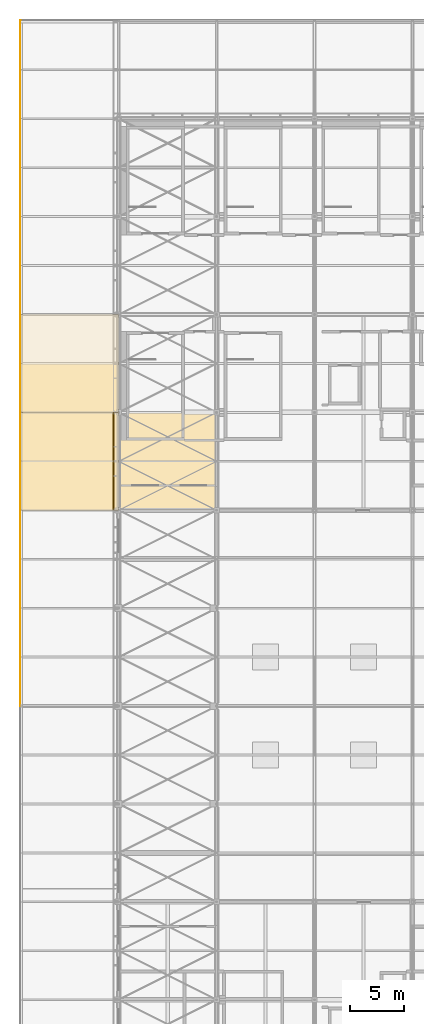
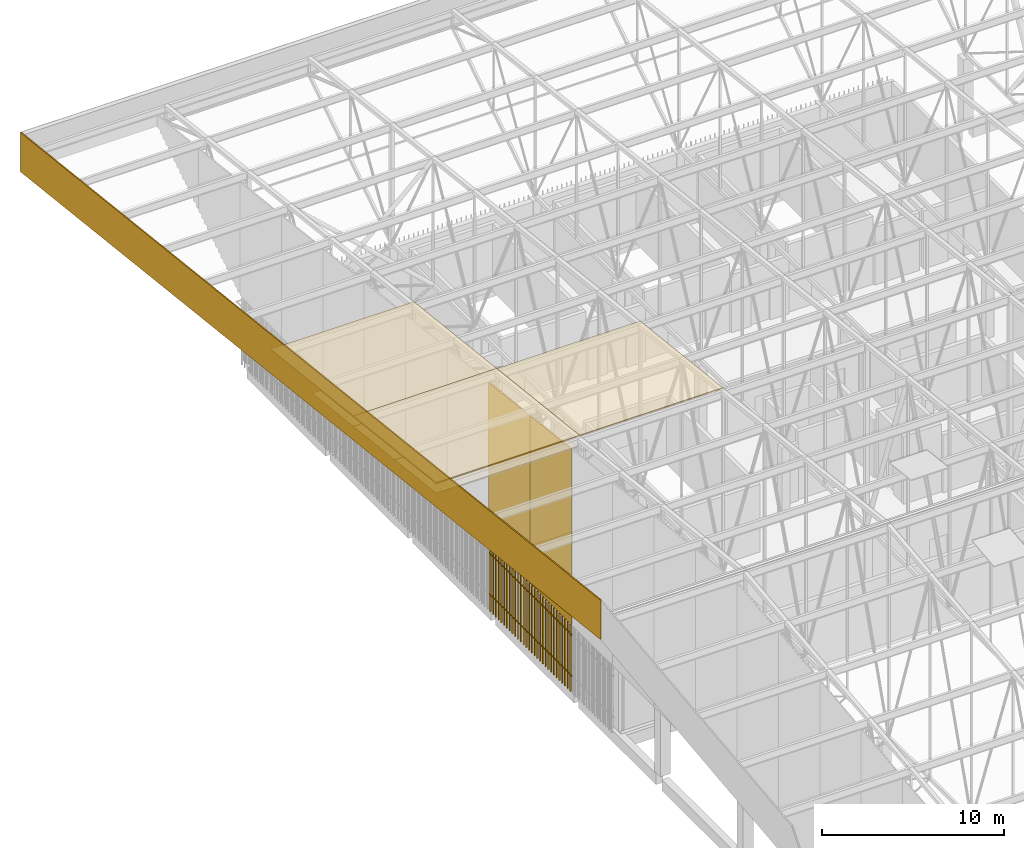
# One storey, part 471 of 500: 7 coverings, 3 shading devices.
"""IFC4 building model written with IfcOpenShell, lengths in metres."""

from ifc_helpers import new_model, si_unit, direction, frame, origin, origin_2d, place, context, subcontext, project, spatial, polyline, rectangle, outline, extrude, material, layer, layer_set, type_object, element, save


model = new_model("IFC4")

# Units and contexts
model_context = context("Model", 3, precision=1e-05, world=origin(), true_north=direction((0.0, 1.0)))
body_context = subcontext(model_context, "Body", "Model", "MODEL_VIEW")
ifc_project = project(units=[si_unit("LENGTHUNIT", "METRE"), si_unit("AREAUNIT", "SQUARE_METRE"), si_unit("VOLUMEUNIT", "CUBIC_METRE"), si_unit("PLANEANGLEUNIT", "RADIAN"), si_unit("MASSUNIT", "GRAM", prefix="KILO")], contexts=[model_context])

# Site, building, storey
site_placement = place(None, origin())
site = spatial("IfcSite", under=ifc_project, at=site_placement, CompositionType="ELEMENT")
building_placement = place(site_placement, origin())
building = spatial("IfcBuilding", under=site, at=building_placement, Name="Shirokan Park Arena", CompositionType="ELEMENT")
storey_placement = place(building_placement, frame((0.0, 0.0, 29.1201171875)))
storey = spatial("IfcBuildingStorey", under=building, at=storey_placement, Name="L06", CompositionType="ELEMENT", Elevation=29.1201171875)

# Coverings
ifc_material_1 = material(Name="Bituminous roofing membrane")
ifc_layer_1 = layer(ifc_material_1, 0.010009765625, Name="Bituminous roofing membrane")
ifc_material_2 = material(Name="Mineral wool insulation")
ifc_layer_2 = layer(ifc_material_2, 0.050048828125, Name="Mineral wool insulation")
ifc_layer_set_1 = layer_set([ifc_layer_1, ifc_layer_2], Name="Bituminous roofing membrane + Mineral wool insulation")
covering_type_1 = type_object("IfcCoveringType", Name="Roofing membrane 60", PredefinedType="ROOFING", material=ifc_layer_set_1)
covering_1_placement = place(storey_placement, frame((-9.10009765625, 72.800048828125, 17.090576171875), z_axis=(0.0, 0.113526293343, 0.993534992197), x_axis=(1.0, 0.0, 0.0)))
element("IfcCovering", 1, at=covering_1_placement, inside=storey, type_object=covering_type_1, Name="Roofing", PredefinedType="ROOFING", context=body_context, shape_type="SweptSolid", body=[
    extrude(outline(polyline([(0.0, 0.0), (9.10009765625, 0.0), (9.10009765625, 9.159066954957241), (0.0, 9.159066954957241), (0.0, 0.0)])), origin(), (0.0, 0.0, -1.0), 0.06005859375),
])
covering_2_placement = place(storey_placement, frame((-9.10009765625, 81.89990234375, 16.05078125), z_axis=(0.0, 0.113549598152, 0.993532328996), x_axis=(1.0, 0.0, 0.0)))
element("IfcCovering", 2, at=covering_2_placement, inside=storey, type_object=covering_type_1, Name="Roofing", PredefinedType="ROOFING", context=body_context, shape_type="SweptSolid", body=[
    extrude(outline(polyline([(0.0, 0.0), (9.10009765625, 0.0), (9.10009765625, 9.15933723611117), (0.0, 9.15933723611117), (0.0, 0.0)])), origin(), (0.0, 0.0, -1.0), 0.06005859375),
])
covering_3_placement = place(storey_placement, frame((0.0, 72.800048828125, 17.090576171875), z_axis=(0.0, 0.113526293343, 0.993534992197), x_axis=(1.0, 0.0, 0.0)))
element("IfcCovering", 3, at=covering_3_placement, inside=storey, type_object=covering_type_1, Name="Roofing", PredefinedType="ROOFING", context=body_context, shape_type="SweptSolid", body=[
    extrude(outline(polyline([(0.0, 0.0), (9.10009765625, 0.0), (9.10009765625, 9.159066954957241), (0.0, 9.159066954957241), (0.0, 0.0)])), origin(), (0.0, 0.0, -1.0), 0.06005859375),
])
ifc_material_3 = material(Name="Timber soffit boards (cedar)", Category="wood")
ifc_layer_3 = layer(ifc_material_3, 0.030029296875)
ifc_layer_set_2 = layer_set([ifc_layer_3], Name="Timber soffit boards (cedar) 30 mm")
covering_type_2 = type_object("IfcCoveringType", Name="Timber boarded soffit panel", PredefinedType="CLADDING", material=ifc_layer_set_2)
covering_4_placement = place(storey_placement, origin())
element("IfcCovering", 4, at=covering_4_placement, inside=storey, type_object=covering_type_2, Name="Rake soffit west bay 19", PredefinedType="CLADDING", context=body_context, shape_type="SweptSolid", body=[
    extrude(outline(polyline([(0.0, 0.0), (0.11999999999999922, 0.0), (0.11999999999999922, -4.579617887990218), (0.0, -4.579617887990218), (0.0, 0.0)])), frame((-8.97998046875, 72.800048828125, 16.3818359375), z_axis=(0.0, 0.113546591161, 0.993532672656), x_axis=(-1.0, 0.0, 0.0)), (0.0, 0.0, -1.0), 0.030029296875),
    extrude(outline(polyline([(0.0, 0.0), (0.12, 0.0), (0.12, -4.579617887990218), (0.0, -4.579617887990218), (0.0, 0.0)])), frame((-0.2470703125, 77.35009765625, 15.86181640625), z_axis=(0.0, 0.113546591161, 0.993532672656), x_axis=(1.0, 0.0, 0.0)), (0.0, 0.0, -1.0), 0.030029296875),
    extrude(outline(polyline([(0.0, 0.0), (0.12078064455862857, 0.0), (0.12078064455862857, -8.733000000000002), (0.0, -8.733000000000002), (0.0, 0.0)])), frame((-0.2470703125, 77.35009765625, 15.86181640625), z_axis=(0.0, 0.11351156512, 0.993536675007), x_axis=(0.0, -0.993536675007, 0.11351156512)), (0.0, 0.0, -1.0), 0.030029296875),
    extrude(outline(polyline([(0.0, 0.0), (0.12078064455864268, 0.0), (0.12078064455864268, -8.733000000000002), (0.0, -8.733000000000002), (0.0, 0.0)])), frame((-8.97998046875, 72.800048828125, 16.3818359375), z_axis=(0.0, 0.11351156512, 0.993536675007), x_axis=(0.0, 0.993536675007, -0.11351156512)), (0.0, 0.0, -1.0), 0.030029296875),
    extrude(outline(polyline([(0.0, 0.0), (8.733, 0.0), (8.733, -0.18452428160000883), (0.0, -0.18452428160000883), (0.0, 0.0)])), frame((-8.97998046875, 73.103271484375, 16.34716796875), z_axis=(0.0, 0.113589386818, 0.99352778079), x_axis=(1.0, 0.0, 0.0)), (0.0, 0.0, -1.0), 0.030029296875),
    extrude(outline(polyline([(0.0, 0.0), (8.733, 0.0), (8.733, -0.30531372586243666), (0.0, -0.30531372586243666), (0.0, 0.0)])), frame((-8.97998046875, 73.40673828125, 16.3125), z_axis=(0.0, 0.113522573877, 0.993535417195), x_axis=(1.0, 0.0, 0.0)), (0.0, 0.0, -1.0), 0.030029296875),
    extrude(outline(polyline([(0.0, 0.0), (8.733, 0.0), (8.733, -0.3053049259347002), (0.0, -0.3053049259347002), (0.0, 0.0)])), frame((-8.97998046875, 73.7099609375, 16.27783203125), z_axis=(0.0, 0.113558600124, 0.99353130013), x_axis=(1.0, 0.0, 0.0)), (0.0, 0.0, -1.0), 0.030029296875),
    extrude(outline(polyline([(0.0, 0.0), (8.733, 0.0), (8.733, -0.30530492593471514), (0.0, -0.30530492593471514), (0.0, 0.0)])), frame((-8.97998046875, 74.013427734375, 16.2431640625), z_axis=(0.0, 0.113558600124, 0.99353130013), x_axis=(1.0, 0.0, 0.0)), (0.0, 0.0, -1.0), 0.030029296875),
    extrude(outline(polyline([(0.0, 0.0), (8.733, 0.0), (8.733, -0.3053137258624367), (0.0, -0.3053137258624367), (0.0, 0.0)])), frame((-8.97998046875, 74.316650390625, 16.20849609375), z_axis=(0.0, 0.113522573877, 0.993535417195), x_axis=(1.0, 0.0, 0.0)), (0.0, 0.0, -1.0), 0.030029296875),
    extrude(outline(polyline([(0.0, 0.0), (8.733, 0.0), (8.733, -0.30530492593471514), (0.0, -0.30530492593471514), (0.0, 0.0)])), frame((-8.97998046875, 74.6201171875, 16.173828125), z_axis=(0.0, 0.113558600124, 0.99353130013), x_axis=(1.0, 0.0, 0.0)), (0.0, 0.0, -1.0), 0.030029296875),
    extrude(outline(polyline([(0.0, 0.0), (8.733, 0.0), (8.733, -0.30530492593471437), (0.0, -0.30530492593471437), (0.0, 0.0)])), frame((-8.97998046875, 74.92333984375, 16.13916015625), z_axis=(0.0, 0.113558600124, 0.99353130013), x_axis=(1.0, 0.0, 0.0)), (0.0, 0.0, -1.0), 0.030029296875),
    extrude(outline(polyline([(0.0, 0.0), (8.733, 0.0), (8.733, -0.30531372586242256), (0.0, -0.30531372586242256), (0.0, 0.0)])), frame((-8.97998046875, 75.2265625, 16.1044921875), z_axis=(0.0, 0.113522573877, 0.993535417195), x_axis=(1.0, 0.0, 0.0)), (0.0, 0.0, -1.0), 0.030029296875),
    extrude(outline(polyline([(0.0, 0.0), (8.733, 0.0), (8.733, -0.3053049259347152), (0.0, -0.3053049259347152), (0.0, 0.0)])), frame((-8.97998046875, 75.530029296875, 16.06982421875), z_axis=(0.0, 0.113558600124, 0.99353130013), x_axis=(1.0, 0.0, 0.0)), (0.0, 0.0, -1.0), 0.030029296875),
    extrude(outline(polyline([(0.0, 0.0), (8.733, 0.0), (8.733, -0.30530492593471437), (0.0, -0.30530492593471437), (0.0, 0.0)])), frame((-8.97998046875, 75.833251953125, 16.03515625), z_axis=(0.0, 0.113558600124, 0.99353130013), x_axis=(1.0, 0.0, 0.0)), (0.0, 0.0, -1.0), 0.030029296875),
    extrude(outline(polyline([(0.0, 0.0), (8.733, 0.0), (8.733, -0.3053137258624234), (0.0, -0.3053137258624234), (0.0, 0.0)])), frame((-8.97998046875, 76.13671875, 16.00048828125), z_axis=(0.0, 0.113522573877, 0.993535417195), x_axis=(1.0, 0.0, 0.0)), (0.0, 0.0, -1.0), 0.030029296875),
    extrude(outline(polyline([(0.0, 0.0), (8.733, 0.0), (8.733, -0.30530492593471437), (0.0, -0.30530492593471437), (0.0, 0.0)])), frame((-8.97998046875, 76.43994140625, 15.9658203125), z_axis=(0.0, 0.113558600124, 0.99353130013), x_axis=(1.0, 0.0, 0.0)), (0.0, 0.0, -1.0), 0.030029296875),
    extrude(outline(polyline([(0.0, 0.0), (8.733, 0.0), (8.733, -0.30530492593471437), (0.0, -0.30530492593471437), (0.0, 0.0)])), frame((-8.97998046875, 76.743408203125, 15.93115234375), z_axis=(0.0, 0.113558600124, 0.99353130013), x_axis=(1.0, 0.0, 0.0)), (0.0, 0.0, -1.0), 0.030029296875),
    extrude(outline(polyline([(0.0, 0.0), (8.733, 0.0), (8.733, -0.3053137258624375), (0.0, -0.3053137258624375), (0.0, 0.0)])), frame((-8.97998046875, 77.046630859375, 15.896484375), z_axis=(0.0, 0.113522573877, 0.993535417195), x_axis=(1.0, 0.0, 0.0)), (0.0, 0.0, -1.0), 0.030029296875),
    extrude(outline(polyline([(0.0, 0.0), (8.733, 0.0), (8.733, -0.18452428160000803), (0.0, -0.18452428160000803), (0.0, 0.0)])), frame((-8.97998046875, 77.22998046875, 15.87548828125), z_axis=(0.0, 0.113589386818, 0.99352778079), x_axis=(1.0, 0.0, 0.0)), (0.0, 0.0, -1.0), 0.030029296875),
])
covering_5_placement = place(storey_placement, origin())
element("IfcCovering", 5, at=covering_5_placement, inside=storey, type_object=covering_type_2, Name="Rake soffit west bay 20", PredefinedType="CLADDING", context=body_context, shape_type="SweptSolid", body=[
    extrude(outline(polyline([(0.0, 0.0), (0.11999999999999922, 0.0), (0.11999999999999922, -4.5796178879902305), (0.0, -4.5796178879902305), (0.0, 0.0)])), frame((-8.97998046875, 77.35009765625, 15.86181640625), z_axis=(0.0, 0.113546591161, 0.993532672656), x_axis=(-1.0, 0.0, 0.0)), (0.0, 0.0, -1.0), 0.030029296875),
    extrude(outline(polyline([(0.0, 0.0), (0.12, 0.0), (0.12, -4.579617887990231), (0.0, -4.579617887990231), (0.0, 0.0)])), frame((-0.2470703125, 81.89990234375, 15.341796875), z_axis=(0.0, 0.113546591161, 0.993532672656), x_axis=(1.0, 0.0, 0.0)), (0.0, 0.0, -1.0), 0.030029296875),
    extrude(outline(polyline([(0.0, 0.0), (0.12078064455864186, 0.0), (0.12078064455864186, -8.733), (0.0, -8.733), (0.0, 0.0)])), frame((-0.2470703125, 81.89990234375, 15.341796875), z_axis=(0.0, 0.11351156512, 0.993536675007), x_axis=(0.0, -0.993536675007, 0.11351156512)), (0.0, 0.0, -1.0), 0.030029296875),
    extrude(outline(polyline([(0.0, 0.0), (0.12078064455864188, 0.0), (0.12078064455864188, -8.733000000000002), (0.0, -8.733000000000002), (0.0, 0.0)])), frame((-8.97998046875, 77.35009765625, 15.86181640625), z_axis=(0.0, 0.11351156512, 0.993536675007), x_axis=(0.0, 0.993536675007, -0.11351156512)), (0.0, 0.0, -1.0), 0.030029296875),
    extrude(outline(polyline([(0.0, 0.0), (8.733, 0.0), (8.733, -0.18452428160000883), (0.0, -0.18452428160000883), (0.0, 0.0)])), frame((-8.97998046875, 77.6533203125, 15.8271484375), z_axis=(0.0, 0.113589386818, 0.99352778079), x_axis=(1.0, 0.0, 0.0)), (0.0, 0.0, -1.0), 0.030029296875),
    extrude(outline(polyline([(0.0, 0.0), (8.733, 0.0), (8.733, -0.3053137258624375), (0.0, -0.3053137258624375), (0.0, 0.0)])), frame((-8.97998046875, 77.956787109375, 15.79248046875), z_axis=(0.0, 0.113522573877, 0.993535417195), x_axis=(1.0, 0.0, 0.0)), (0.0, 0.0, -1.0), 0.030029296875),
    extrude(outline(polyline([(0.0, 0.0), (8.733, 0.0), (8.733, -0.30530492593471437), (0.0, -0.30530492593471437), (0.0, 0.0)])), frame((-8.97998046875, 78.260009765625, 15.7578125), z_axis=(0.0, 0.113558600124, 0.99353130013), x_axis=(1.0, 0.0, 0.0)), (0.0, 0.0, -1.0), 0.030029296875),
    extrude(outline(polyline([(0.0, 0.0), (8.733, 0.0), (8.733, -0.30530492593470027), (0.0, -0.30530492593470027), (0.0, 0.0)])), frame((-8.97998046875, 78.563232421875, 15.72314453125), z_axis=(0.0, 0.113558600124, 0.99353130013), x_axis=(1.0, 0.0, 0.0)), (0.0, 0.0, -1.0), 0.030029296875),
    extrude(outline(polyline([(0.0, 0.0), (8.733, 0.0), (8.733, -0.3053137258624375), (0.0, -0.3053137258624375), (0.0, 0.0)])), frame((-8.97998046875, 78.86669921875, 15.6884765625), z_axis=(0.0, 0.113522573877, 0.993535417195), x_axis=(1.0, 0.0, 0.0)), (0.0, 0.0, -1.0), 0.030029296875),
    extrude(outline(polyline([(0.0, 0.0), (8.733, 0.0), (8.733, -0.30530492593471437), (0.0, -0.30530492593471437), (0.0, 0.0)])), frame((-8.97998046875, 79.169921875, 15.65380859375), z_axis=(0.0, 0.113558600124, 0.99353130013), x_axis=(1.0, 0.0, 0.0)), (0.0, 0.0, -1.0), 0.030029296875),
    extrude(outline(polyline([(0.0, 0.0), (8.733, 0.0), (8.733, -0.30530492593471437), (0.0, -0.30530492593471437), (0.0, 0.0)])), frame((-8.97998046875, 79.473388671875, 15.619140625), z_axis=(0.0, 0.113558600124, 0.99353130013), x_axis=(1.0, 0.0, 0.0)), (0.0, 0.0, -1.0), 0.030029296875),
    extrude(outline(polyline([(0.0, 0.0), (8.733, 0.0), (8.733, -0.30531372586242334), (0.0, -0.30531372586242334), (0.0, 0.0)])), frame((-8.97998046875, 79.776611328125, 15.58447265625), z_axis=(0.0, 0.113522573877, 0.993535417195), x_axis=(1.0, 0.0, 0.0)), (0.0, 0.0, -1.0), 0.030029296875),
    extrude(outline(polyline([(0.0, 0.0), (8.733, 0.0), (8.733, -0.30530492593471437), (0.0, -0.30530492593471437), (0.0, 0.0)])), frame((-8.97998046875, 80.080078125, 15.5498046875), z_axis=(0.0, 0.113558600124, 0.99353130013), x_axis=(1.0, 0.0, 0.0)), (0.0, 0.0, -1.0), 0.030029296875),
    extrude(outline(polyline([(0.0, 0.0), (8.733, 0.0), (8.733, -0.30530492593471437), (0.0, -0.30530492593471437), (0.0, 0.0)])), frame((-8.97998046875, 80.38330078125, 15.51513671875), z_axis=(0.0, 0.113558600124, 0.99353130013), x_axis=(1.0, 0.0, 0.0)), (0.0, 0.0, -1.0), 0.030029296875),
    extrude(outline(polyline([(0.0, 0.0), (8.733, 0.0), (8.733, -0.3053137258624375), (0.0, -0.3053137258624375), (0.0, 0.0)])), frame((-8.97998046875, 80.686767578125, 15.48046875), z_axis=(0.0, 0.113522573877, 0.993535417195), x_axis=(1.0, 0.0, 0.0)), (0.0, 0.0, -1.0), 0.030029296875),
    extrude(outline(polyline([(0.0, 0.0), (8.733, 0.0), (8.733, -0.30530492593470027), (0.0, -0.30530492593470027), (0.0, 0.0)])), frame((-8.97998046875, 80.989990234375, 15.44580078125), z_axis=(0.0, 0.113558600124, 0.99353130013), x_axis=(1.0, 0.0, 0.0)), (0.0, 0.0, -1.0), 0.030029296875),
    extrude(outline(polyline([(0.0, 0.0), (8.733, 0.0), (8.733, -0.3053049259347152), (0.0, -0.3053049259347152), (0.0, 0.0)])), frame((-8.97998046875, 81.293212890625, 15.4111328125), z_axis=(0.0, 0.113558600124, 0.99353130013), x_axis=(1.0, 0.0, 0.0)), (0.0, 0.0, -1.0), 0.030029296875),
    extrude(outline(polyline([(0.0, 0.0), (8.733, 0.0), (8.733, -0.30531372586243666), (0.0, -0.30531372586243666), (0.0, 0.0)])), frame((-8.97998046875, 81.5966796875, 15.37646484375), z_axis=(0.0, 0.113522573877, 0.993535417195), x_axis=(1.0, 0.0, 0.0)), (0.0, 0.0, -1.0), 0.030029296875),
    extrude(outline(polyline([(0.0, 0.0), (8.733, 0.0), (8.733, -0.18452428160000883), (0.0, -0.18452428160000883), (0.0, 0.0)])), frame((-8.97998046875, 81.780029296875, 15.355712890625), z_axis=(0.0, 0.113589386818, 0.99352778079), x_axis=(1.0, 0.0, 0.0)), (0.0, 0.0, -1.0), 0.030029296875),
])
covering_6_placement = place(storey_placement, origin())
element("IfcCovering", 6, at=covering_6_placement, inside=storey, type_object=covering_type_2, Name="Rake soffit west bay 21", PredefinedType="CLADDING", context=body_context, shape_type="SweptSolid", body=[
    extrude(outline(polyline([(0.0, 0.0), (0.11999999999999922, 0.0), (0.11999999999999922, -4.579617887990217), (0.0, -4.579617887990217), (0.0, 0.0)])), frame((-8.97998046875, 81.89990234375, 15.341796875), z_axis=(0.0, 0.113546591161, 0.993532672656), x_axis=(-1.0, 0.0, 0.0)), (0.0, 0.0, -1.0), 0.030029296875),
    extrude(outline(polyline([(0.0, 0.0), (0.12, 0.0), (0.12, -4.579617887990218), (0.0, -4.579617887990218), (0.0, 0.0)])), frame((-0.2470703125, 86.449951171875, 14.82177734375), z_axis=(0.0, 0.113546591161, 0.993532672656), x_axis=(1.0, 0.0, 0.0)), (0.0, 0.0, -1.0), 0.030029296875),
    extrude(outline(polyline([(0.0, 0.0), (0.12078064455864267, 0.0), (0.12078064455864267, -8.733), (0.0, -8.733), (0.0, 0.0)])), frame((-0.2470703125, 86.449951171875, 14.82177734375), z_axis=(0.0, 0.11351156512, 0.993536675007), x_axis=(0.0, -0.993536675007, 0.11351156512)), (0.0, 0.0, -1.0), 0.030029296875),
    extrude(outline(polyline([(0.0, 0.0), (0.12078064455862855, 0.0), (0.12078064455862855, -8.733), (0.0, -8.733), (0.0, 0.0)])), frame((-8.97998046875, 81.89990234375, 15.341796875), z_axis=(0.0, 0.11351156512, 0.993536675007), x_axis=(0.0, 0.993536675007, -0.11351156512)), (0.0, 0.0, -1.0), 0.030029296875),
    extrude(outline(polyline([(0.0, 0.0), (8.733, 0.0), (8.733, -0.18452428160000883), (0.0, -0.18452428160000883), (0.0, 0.0)])), frame((-8.97998046875, 82.203369140625, 15.30712890625), z_axis=(0.0, 0.113589386818, 0.99352778079), x_axis=(1.0, 0.0, 0.0)), (0.0, 0.0, -1.0), 0.030029296875),
    extrude(outline(polyline([(0.0, 0.0), (8.733, 0.0), (8.733, -0.30531372586243666), (0.0, -0.30531372586243666), (0.0, 0.0)])), frame((-8.97998046875, 82.506591796875, 15.2724609375), z_axis=(0.0, 0.113522573877, 0.993535417195), x_axis=(1.0, 0.0, 0.0)), (0.0, 0.0, -1.0), 0.030029296875),
    extrude(outline(polyline([(0.0, 0.0), (8.733, 0.0), (8.733, -0.3053049259347152), (0.0, -0.3053049259347152), (0.0, 0.0)])), frame((-8.97998046875, 82.81005859375, 15.23779296875), z_axis=(0.0, 0.113558600124, 0.99353130013), x_axis=(1.0, 0.0, 0.0)), (0.0, 0.0, -1.0), 0.030029296875),
    extrude(outline(polyline([(0.0, 0.0), (8.733, 0.0), (8.733, -0.30530492593471437), (0.0, -0.30530492593471437), (0.0, 0.0)])), frame((-8.97998046875, 83.11328125, 15.203125), z_axis=(0.0, 0.113558600124, 0.99353130013), x_axis=(1.0, 0.0, 0.0)), (0.0, 0.0, -1.0), 0.030029296875),
    extrude(outline(polyline([(0.0, 0.0), (8.733, 0.0), (8.733, -0.30531372586242256), (0.0, -0.30531372586242256), (0.0, 0.0)])), frame((-8.97998046875, 83.416748046875, 15.16845703125), z_axis=(0.0, 0.113522573877, 0.993535417195), x_axis=(1.0, 0.0, 0.0)), (0.0, 0.0, -1.0), 0.030029296875),
    extrude(outline(polyline([(0.0, 0.0), (8.733, 0.0), (8.733, -0.30530492593471514), (0.0, -0.30530492593471514), (0.0, 0.0)])), frame((-8.97998046875, 83.719970703125, 15.1337890625), z_axis=(0.0, 0.113558600124, 0.99353130013), x_axis=(1.0, 0.0, 0.0)), (0.0, 0.0, -1.0), 0.030029296875),
    extrude(outline(polyline([(0.0, 0.0), (8.733, 0.0), (8.733, -0.30530492593471437), (0.0, -0.30530492593471437), (0.0, 0.0)])), frame((-8.97998046875, 84.0234375, 15.09912109375), z_axis=(0.0, 0.113558600124, 0.99353130013), x_axis=(1.0, 0.0, 0.0)), (0.0, 0.0, -1.0), 0.030029296875),
    extrude(outline(polyline([(0.0, 0.0), (8.733, 0.0), (8.733, -0.30531372586242334), (0.0, -0.30531372586242334), (0.0, 0.0)])), frame((-8.97998046875, 84.32666015625, 15.064453125), z_axis=(0.0, 0.113522573877, 0.993535417195), x_axis=(1.0, 0.0, 0.0)), (0.0, 0.0, -1.0), 0.030029296875),
    extrude(outline(polyline([(0.0, 0.0), (8.733, 0.0), (8.733, -0.30530492593471437), (0.0, -0.30530492593471437), (0.0, 0.0)])), frame((-8.97998046875, 84.6298828125, 15.02978515625), z_axis=(0.0, 0.113558600124, 0.99353130013), x_axis=(1.0, 0.0, 0.0)), (0.0, 0.0, -1.0), 0.030029296875),
    extrude(outline(polyline([(0.0, 0.0), (8.733, 0.0), (8.733, -0.30530492593471437), (0.0, -0.30530492593471437), (0.0, 0.0)])), frame((-8.97998046875, 84.933349609375, 14.9951171875), z_axis=(0.0, 0.113558600124, 0.99353130013), x_axis=(1.0, 0.0, 0.0)), (0.0, 0.0, -1.0), 0.030029296875),
    extrude(outline(polyline([(0.0, 0.0), (8.733, 0.0), (8.733, -0.3053137258624375), (0.0, -0.3053137258624375), (0.0, 0.0)])), frame((-8.97998046875, 85.236572265625, 14.96044921875), z_axis=(0.0, 0.113522573877, 0.993535417195), x_axis=(1.0, 0.0, 0.0)), (0.0, 0.0, -1.0), 0.030029296875),
    extrude(outline(polyline([(0.0, 0.0), (8.733, 0.0), (8.733, -0.30530492593471437), (0.0, -0.30530492593471437), (0.0, 0.0)])), frame((-8.97998046875, 85.5400390625, 14.92578125), z_axis=(0.0, 0.113558600124, 0.99353130013), x_axis=(1.0, 0.0, 0.0)), (0.0, 0.0, -1.0), 0.030029296875),
    extrude(outline(polyline([(0.0, 0.0), (8.733, 0.0), (8.733, -0.3053049259347002), (0.0, -0.3053049259347002), (0.0, 0.0)])), frame((-8.97998046875, 85.84326171875, 14.89111328125), z_axis=(0.0, 0.113558600124, 0.99353130013), x_axis=(1.0, 0.0, 0.0)), (0.0, 0.0, -1.0), 0.030029296875),
    extrude(outline(polyline([(0.0, 0.0), (8.733, 0.0), (8.733, -0.3053137258624375), (0.0, -0.3053137258624375), (0.0, 0.0)])), frame((-8.97998046875, 86.146728515625, 14.8564453125), z_axis=(0.0, 0.113522573877, 0.993535417195), x_axis=(1.0, 0.0, 0.0)), (0.0, 0.0, -1.0), 0.030029296875),
    extrude(outline(polyline([(0.0, 0.0), (8.733, 0.0), (8.733, -0.18452428160000803), (0.0, -0.18452428160000803), (0.0, 0.0)])), frame((-8.97998046875, 86.330078125, 14.835693359375), z_axis=(0.0, 0.113589386818, 0.99352778079), x_axis=(1.0, 0.0, 0.0)), (0.0, 0.0, -1.0), 0.030029296875),
])

# Shading devices
ifc_material_4 = material(Name="Timber louvre veil (cedar)", Category="wood")
shading_device_type_1 = type_object("IfcShadingDeviceType", Name="Timber louvre veil panel", PredefinedType="JALOUSIE", material=ifc_material_4)
shading_device_1_placement = place(storey_placement, origin())
element("IfcShadingDevice", 7, at=shading_device_1_placement, inside=storey, type_object=shading_device_type_1, Name="Timber louvre veil west bay 4 L06", PredefinedType="JALOUSIE", context=body_context, shape_type="SweptSolid", body=[
    extrude(rectangle(XDim=0.050048828125, YDim=0.080078125, at=origin_2d()), frame((-0.485107421875, 81.748291015625, 0.0), z_axis=(0.0, 0.0, 1.0), x_axis=(0.0, -1.0, 0.0)), (0.0, 0.0, 1.0), 4.5),
    extrude(rectangle(XDim=0.050048828125, YDim=0.080078125, at=origin_2d()), frame((-0.485107421875, 81.445068359375, 0.0), z_axis=(0.0, 0.0, 1.0), x_axis=(0.0, -1.0, 0.0)), (0.0, 0.0, 1.0), 4.5),
    extrude(rectangle(XDim=0.050048828125, YDim=0.080078125, at=origin_2d()), frame((-0.485107421875, 81.1416015625, 0.0), z_axis=(0.0, 0.0, 1.0), x_axis=(0.0, -1.0, 0.0)), (0.0, 0.0, 1.0), 4.5),
    extrude(rectangle(XDim=0.050048828125, YDim=0.080078125, at=origin_2d()), frame((-0.485107421875, 80.83837890625, 0.0), z_axis=(0.0, 0.0, 1.0), x_axis=(0.0, -1.0, 0.0)), (0.0, 0.0, 1.0), 4.5),
    extrude(rectangle(XDim=0.050048828125, YDim=0.080078125, at=origin_2d()), frame((-0.485107421875, 80.534912109375, 0.0), z_axis=(0.0, 0.0, 1.0), x_axis=(0.0, -1.0, 0.0)), (0.0, 0.0, 1.0), 4.5),
    extrude(rectangle(XDim=0.050048828125, YDim=0.080078125, at=origin_2d()), frame((-0.485107421875, 80.231689453125, 0.0), z_axis=(0.0, 0.0, 1.0), x_axis=(0.0, -1.0, 0.0)), (0.0, 0.0, 1.0), 4.5),
    extrude(rectangle(XDim=0.050048828125, YDim=0.080078125, at=origin_2d()), frame((-0.485107421875, 79.92822265625, 0.0), z_axis=(0.0, 0.0, 1.0), x_axis=(0.0, -1.0, 0.0)), (0.0, 0.0, 1.0), 4.5),
    extrude(rectangle(XDim=0.050048828125, YDim=0.080078125, at=origin_2d()), frame((-0.485107421875, 79.625, 0.0), z_axis=(0.0, 0.0, 1.0), x_axis=(0.0, -1.0, 0.0)), (0.0, 0.0, 1.0), 4.5),
    extrude(rectangle(XDim=0.050048828125, YDim=0.080078125, at=origin_2d()), frame((-0.485107421875, 79.32177734375, 0.0), z_axis=(0.0, 0.0, 1.0), x_axis=(0.0, -1.0, 0.0)), (0.0, 0.0, 1.0), 4.5),
    extrude(rectangle(XDim=0.050048828125, YDim=0.080078125, at=origin_2d()), frame((-0.485107421875, 79.018310546875, 0.0), z_axis=(0.0, 0.0, 1.0), x_axis=(0.0, -1.0, 0.0)), (0.0, 0.0, 1.0), 4.5),
    extrude(rectangle(XDim=0.050048828125, YDim=0.080078125, at=origin_2d()), frame((-0.485107421875, 78.715087890625, 0.0), z_axis=(0.0, 0.0, 1.0), x_axis=(0.0, -1.0, 0.0)), (0.0, 0.0, 1.0), 4.5),
    extrude(rectangle(XDim=0.050048828125, YDim=0.080078125, at=origin_2d()), frame((-0.485107421875, 78.41162109375, 0.0), z_axis=(0.0, 0.0, 1.0), x_axis=(0.0, -1.0, 0.0)), (0.0, 0.0, 1.0), 4.5),
    extrude(rectangle(XDim=0.050048828125, YDim=0.080078125, at=origin_2d()), frame((-0.485107421875, 78.1083984375, 0.0), z_axis=(0.0, 0.0, 1.0), x_axis=(0.0, -1.0, 0.0)), (0.0, 0.0, 1.0), 4.5),
    extrude(rectangle(XDim=0.050048828125, YDim=0.080078125, at=origin_2d()), frame((-0.485107421875, 77.804931640625, 0.0), z_axis=(0.0, 0.0, 1.0), x_axis=(0.0, -1.0, 0.0)), (0.0, 0.0, 1.0), 4.5),
    extrude(rectangle(XDim=0.050048828125, YDim=0.080078125, at=origin_2d()), frame((-0.485107421875, 77.501708984375, 0.0), z_axis=(0.0, 0.0, 1.0), x_axis=(0.0, -1.0, 0.0)), (0.0, 0.0, 1.0), 4.5),
    extrude(rectangle(XDim=0.050048828125, YDim=0.080078125, at=origin_2d()), frame((-0.485107421875, 77.1982421875, 0.0), z_axis=(0.0, 0.0, 1.0), x_axis=(0.0, -1.0, 0.0)), (0.0, 0.0, 1.0), 4.5),
    extrude(rectangle(XDim=0.050048828125, YDim=0.080078125, at=origin_2d()), frame((-0.485107421875, 76.89501953125, 0.0), z_axis=(0.0, 0.0, 1.0), x_axis=(0.0, -1.0, 0.0)), (0.0, 0.0, 1.0), 4.5),
    extrude(rectangle(XDim=0.050048828125, YDim=0.080078125, at=origin_2d()), frame((-0.485107421875, 76.591552734375, 0.0), z_axis=(0.0, 0.0, 1.0), x_axis=(0.0, -1.0, 0.0)), (0.0, 0.0, 1.0), 4.5),
    extrude(rectangle(XDim=0.050048828125, YDim=0.080078125, at=origin_2d()), frame((-0.485107421875, 76.288330078125, 0.0), z_axis=(0.0, 0.0, 1.0), x_axis=(0.0, -1.0, 0.0)), (0.0, 0.0, 1.0), 4.5),
    extrude(rectangle(XDim=0.050048828125, YDim=0.080078125, at=origin_2d()), frame((-0.485107421875, 75.985107421875, 0.0), z_axis=(0.0, 0.0, 1.0), x_axis=(0.0, -1.0, 0.0)), (0.0, 0.0, 1.0), 4.5),
    extrude(rectangle(XDim=0.050048828125, YDim=0.080078125, at=origin_2d()), frame((-0.485107421875, 75.681640625, 0.0), z_axis=(0.0, 0.0, 1.0), x_axis=(0.0, -1.0, 0.0)), (0.0, 0.0, 1.0), 4.5),
    extrude(rectangle(XDim=0.050048828125, YDim=0.080078125, at=origin_2d()), frame((-0.485107421875, 75.37841796875, 0.0), z_axis=(0.0, 0.0, 1.0), x_axis=(0.0, -1.0, 0.0)), (0.0, 0.0, 1.0), 4.5),
    extrude(rectangle(XDim=0.050048828125, YDim=0.080078125, at=origin_2d()), frame((-0.485107421875, 75.074951171875, 0.0), z_axis=(0.0, 0.0, 1.0), x_axis=(0.0, -1.0, 0.0)), (0.0, 0.0, 1.0), 4.5),
    extrude(rectangle(XDim=0.050048828125, YDim=0.080078125, at=origin_2d()), frame((-0.485107421875, 74.771728515625, 0.0), z_axis=(0.0, 0.0, 1.0), x_axis=(0.0, -1.0, 0.0)), (0.0, 0.0, 1.0), 4.5),
    extrude(rectangle(XDim=0.050048828125, YDim=0.080078125, at=origin_2d()), frame((-0.485107421875, 74.46826171875, 0.0), z_axis=(0.0, 0.0, 1.0), x_axis=(0.0, -1.0, 0.0)), (0.0, 0.0, 1.0), 4.5),
    extrude(rectangle(XDim=0.050048828125, YDim=0.080078125, at=origin_2d()), frame((-0.485107421875, 74.1650390625, 0.0), z_axis=(0.0, 0.0, 1.0), x_axis=(0.0, -1.0, 0.0)), (0.0, 0.0, 1.0), 4.5),
    extrude(rectangle(XDim=0.050048828125, YDim=0.080078125, at=origin_2d()), frame((-0.485107421875, 73.861572265625, 0.0), z_axis=(0.0, 0.0, 1.0), x_axis=(0.0, -1.0, 0.0)), (0.0, 0.0, 1.0), 4.5),
    extrude(rectangle(XDim=0.050048828125, YDim=0.080078125, at=origin_2d()), frame((-0.485107421875, 73.558349609375, 0.0), z_axis=(0.0, 0.0, 1.0), x_axis=(0.0, -1.0, 0.0)), (0.0, 0.0, 1.0), 4.5),
    extrude(rectangle(XDim=0.050048828125, YDim=0.080078125, at=origin_2d()), frame((-0.485107421875, 73.2548828125, 0.0), z_axis=(0.0, 0.0, 1.0), x_axis=(0.0, -1.0, 0.0)), (0.0, 0.0, 1.0), 4.5),
    extrude(rectangle(XDim=0.050048828125, YDim=0.080078125, at=origin_2d()), frame((-0.485107421875, 72.95166015625, 0.0), z_axis=(0.0, 0.0, 1.0), x_axis=(0.0, -1.0, 0.0)), (0.0, 0.0, 1.0), 4.5),
    extrude(rectangle(XDim=9.10009765625, YDim=0.050048828125, at=origin_2d()), frame((-0.469970703125, 77.35009765625, 1.059814453125), z_axis=(0.0, 0.0, 1.0), x_axis=(0.0, -1.0, 0.0)), (0.0, 0.0, 1.0), 0.080078125),
    extrude(rectangle(XDim=9.10009765625, YDim=0.050048828125, at=origin_2d()), frame((-0.469970703125, 77.35009765625, 3.809814453125), z_axis=(0.0, 0.0, 1.0), x_axis=(0.0, -1.0, 0.0)), (0.0, 0.0, 1.0), 0.080078125),
])
shading_device_type_2 = type_object("IfcShadingDeviceType", Name="Timber louvre veil panel, gable band, closed", PredefinedType="JALOUSIE", material=ifc_material_4)
shading_device_2_placement = place(storey_placement, origin())
element("IfcShadingDevice", 8, at=shading_device_2_placement, inside=storey, type_object=shading_device_type_2, Name="Timber louvre veil gable band west bay 19", PredefinedType="JALOUSIE", context=body_context, shape_type="SweptSolid", body=[
    extrude(outline(polyline([(77.35009765625, 4.575927734375), (77.35009765625, 15.831787109375), (77.046630859375, 15.831787109375), (77.046630859375, 15.866455078125), (76.743408203125, 15.866455078125), (76.743408203125, 15.901123046875), (76.43994140625, 15.901123046875), (76.43994140625, 15.935791015625), (76.13671875, 15.935791015625), (76.13671875, 15.970458984375), (75.833251953125, 15.970458984375), (75.833251953125, 16.005126953125), (75.530029296875, 16.005126953125), (75.530029296875, 16.039794921875), (75.2265625, 16.039794921875), (75.2265625, 16.074462890625), (74.92333984375, 16.074462890625), (74.92333984375, 16.109130859375), (74.6201171875, 16.109130859375), (74.6201171875, 16.143798828125), (74.316650390625, 16.143798828125), (74.316650390625, 16.178466796875), (74.013427734375, 16.178466796875), (74.013427734375, 16.213134765625), (73.7099609375, 16.213134765625), (73.7099609375, 16.247802734375), (73.40673828125, 16.247802734375), (73.40673828125, 16.282470703125), (73.103271484375, 16.282470703125), (73.103271484375, 16.317138671875), (72.800048828125, 16.317138671875), (72.800048828125, 4.575927734375), (77.35009765625, 4.575927734375)])), frame((-0.525146484375, 0.0, 0.0), z_axis=(1.0, 0.0, 0.0), x_axis=(0.0, 1.0, 0.0)), (0.0, 0.0, 1.0), 0.080078125),
    extrude(rectangle(XDim=0.050048828125, YDim=4.550048828125, at=origin_2d()), frame((-0.469970703125, 75.074951171875, 4.98583984375), z_axis=(0.0, 0.0, 1.0), x_axis=(1.0, 0.0, 0.0)), (0.0, 0.0, 1.0), 0.080078125),
    extrude(rectangle(XDim=0.050048828125, YDim=4.550048828125, at=origin_2d()), frame((-0.469970703125, 75.074951171875, 10.163818359375), z_axis=(0.0, 0.0, 1.0), x_axis=(1.0, 0.0, 0.0)), (0.0, 0.0, 1.0), 0.080078125),
    extrude(rectangle(XDim=0.050048828125, YDim=4.550048828125, at=origin_2d()), frame((-0.469970703125, 75.074951171875, 15.69189453125), z_axis=(0.0, 0.0, 1.0), x_axis=(1.0, 0.0, 0.0)), (0.0, 0.0, 1.0), 0.080078125),
])
shading_device_3_placement = place(storey_placement, origin())
element("IfcShadingDevice", 9, at=shading_device_3_placement, inside=storey, type_object=shading_device_type_2, Name="Timber louvre veil gable band west bay 20", PredefinedType="JALOUSIE", context=body_context, shape_type="SweptSolid", body=[
    extrude(outline(polyline([(81.89990234375, 4.575927734375), (81.89990234375, 15.311767578125), (81.5966796875, 15.311767578125), (81.5966796875, 15.346435546875), (81.293212890625, 15.346435546875), (81.293212890625, 15.381103515625), (80.989990234375, 15.381103515625), (80.989990234375, 15.415771484375), (80.686767578125, 15.415771484375), (80.686767578125, 15.450439453125), (80.38330078125, 15.450439453125), (80.38330078125, 15.485107421875), (80.080078125, 15.485107421875), (80.080078125, 15.519775390625), (79.776611328125, 15.519775390625), (79.776611328125, 15.554443359375), (79.473388671875, 15.554443359375), (79.473388671875, 15.589111328125), (79.169921875, 15.589111328125), (79.169921875, 15.623779296875), (78.86669921875, 15.623779296875), (78.86669921875, 15.658447265625), (78.563232421875, 15.658447265625), (78.563232421875, 15.693115234375), (78.260009765625, 15.693115234375), (78.260009765625, 15.727783203125), (77.956787109375, 15.727783203125), (77.956787109375, 15.762451171875), (77.6533203125, 15.762451171875), (77.6533203125, 15.797119140625), (77.35009765625, 15.797119140625), (77.35009765625, 4.575927734375), (81.89990234375, 4.575927734375)])), frame((-0.525146484375, 0.0, 0.0), z_axis=(1.0, 0.0, 0.0), x_axis=(0.0, 1.0, 0.0)), (0.0, 0.0, 1.0), 0.080078125),
    extrude(rectangle(XDim=0.050048828125, YDim=4.550048828125, at=origin_2d()), frame((-0.469970703125, 79.625, 4.98583984375), z_axis=(0.0, 0.0, 1.0), x_axis=(1.0, 0.0, 0.0)), (0.0, 0.0, 1.0), 0.080078125),
    extrude(rectangle(XDim=0.050048828125, YDim=4.550048828125, at=origin_2d()), frame((-0.469970703125, 79.625, 9.90380859375), z_axis=(0.0, 0.0, 1.0), x_axis=(1.0, 0.0, 0.0)), (0.0, 0.0, 1.0), 0.080078125),
    extrude(rectangle(XDim=0.050048828125, YDim=4.550048828125, at=origin_2d()), frame((-0.469970703125, 79.625, 15.171875), z_axis=(0.0, 0.0, 1.0), x_axis=(1.0, 0.0, 0.0)), (0.0, 0.0, 1.0), 0.080078125),
])

# Covering
ifc_material_5 = material(Name="Timber fascia board (cedar)", Category="wood")
ifc_layer_4 = layer(ifc_material_5, 0.080078125)
ifc_layer_set_3 = layer_set([ifc_layer_4], Name="Timber fascia board (cedar) 80 mm")
covering_type_3 = type_object("IfcCoveringType", Name="Timber rake fascia 80", PredefinedType="CLADDING", material=ifc_layer_set_3)
covering_7_placement = place(storey_placement, frame((-9.179931640625, 54.60009765625, 20.269775390625), z_axis=(-1.0, 0.0, 0.0), x_axis=(0.0, 0.993543092933, -0.113455376628)))
element("IfcCovering", 10, at=covering_7_placement, inside=storey, type_object=covering_type_3, Name="Rake fascia west north half", PredefinedType="CLADDING", context=body_context, shape_type="SweptSolid", body=[
    extrude(outline(polyline([(0.0, 0.0), (64.16430294113043, 0.0), (64.46372985063901, 2.6221193443853137), (0.2993992104420237, 2.6218767801536402), (0.0, 0.0)])), origin(), (0.0, 0.0, -1.0), 0.080078125),
])

save(model, "model.ifc")
